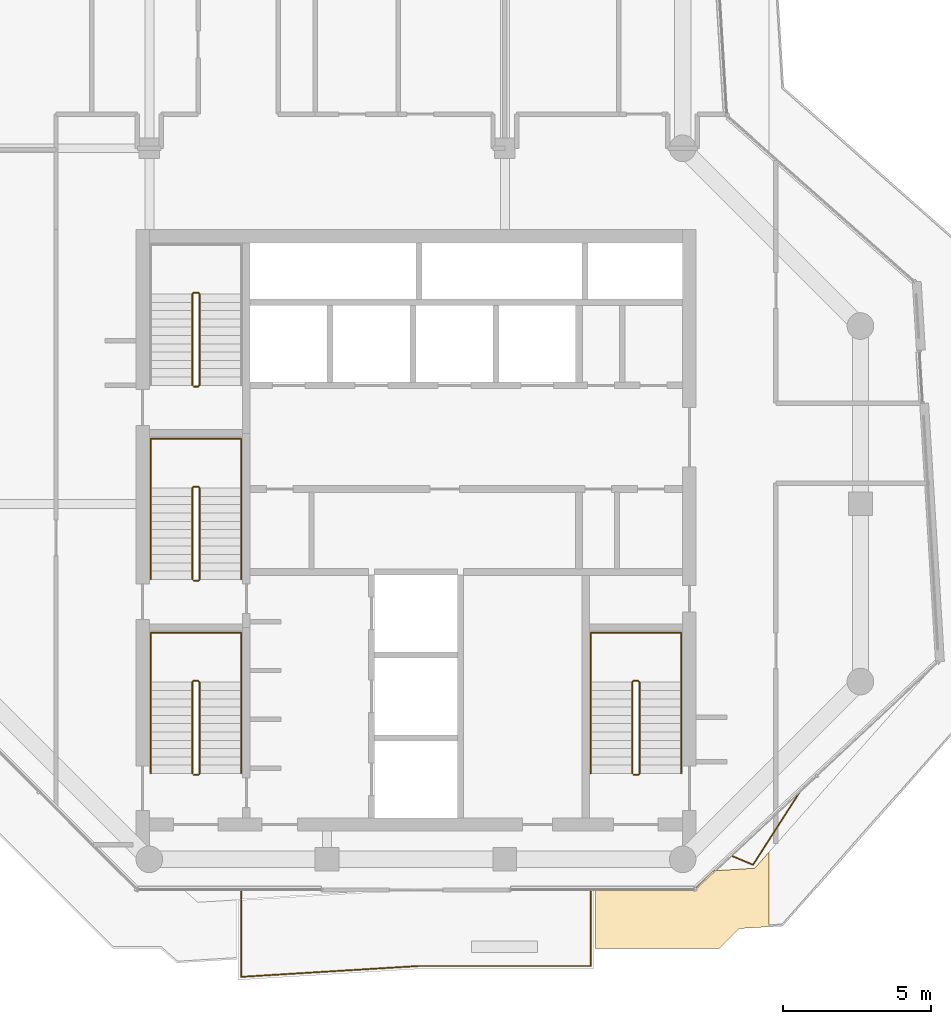
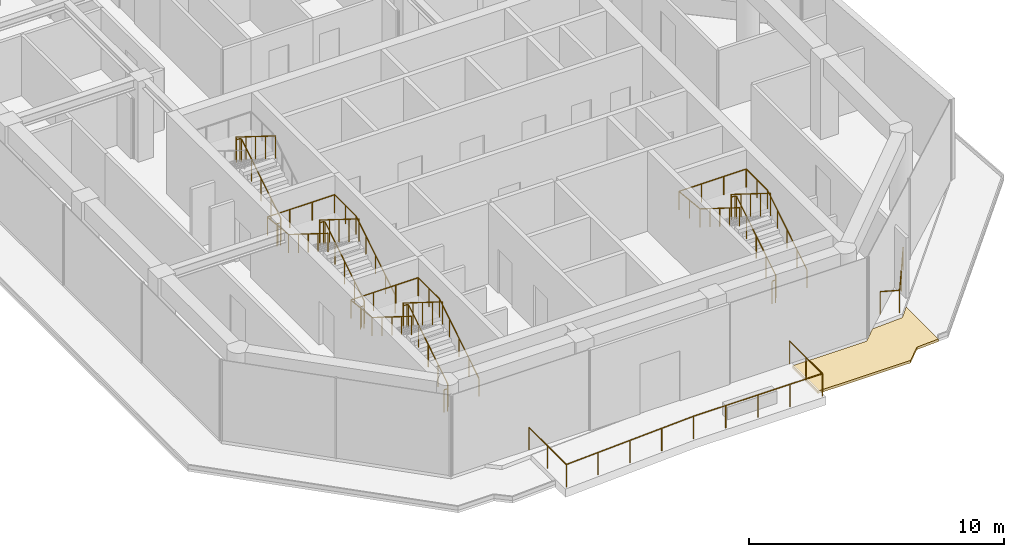
# One storey, part 20 of 21: 9 railings, 1 covering.
"""IFC4 building model written with IfcOpenShell, lengths in metres."""

import ifcopenshell
import ifcopenshell.guid

model = None  # the IFC model being written
_history = None  # IfcOwnerHistory: only IFC2X3 demands one
_inside = {}  # id of a spatial element -> (the spatial element, [elements in it])
_under = {}  # id of a project, library or spatial element -> (it, [spatial elements below it])
_declared = {}  # id of a project -> (the project, [libraries it declares])
_typed = {}  # id of a type object -> (the type object, [elements of that type])
_made_of = {}  # id of a material, layer set ... -> (it, [elements and type objects made of it])


def new_model(schema):
    """Start an empty IFC model of exactly this schema.

    Asked for "IFC4X3", IfcOpenShell would pick the latest addendum, in which some entities
    have other attributes; the version numbers below select the first issue.
    IFC2X3 requires an IfcOwnerHistory on every rooted entity: one is made here for all.
    """
    global model, _history
    if schema == "IFC4X3":
        model = ifcopenshell.file(schema_version=(4, 3, 0, 0))
    else:
        model = ifcopenshell.file(schema=schema)
    _inside.clear()
    _under.clear()
    _declared.clear()
    _typed.clear()
    _made_of.clear()
    _history = None
    if model.schema == "IFC2X3":
        org = make("IfcOrganization", Name="unknown")
        user = make(
            "IfcPersonAndOrganization",
            ThePerson=make("IfcPerson", FamilyName="unknown"),
            TheOrganization=org,
        )
        app = make(
            "IfcApplication",
            ApplicationDeveloper=org,
            Version="unknown",
            ApplicationFullName="unknown",
            ApplicationIdentifier="unknown",
        )
        _history = make(
            "IfcOwnerHistory",
            OwningUser=user,
            OwningApplication=app,
            ChangeAction="ADDED",
            CreationDate=0,
        )
    return model


def make(cls, **values):
    """One entity of the class cls with the attributes given. An attribute that is None is left unset."""
    return model.create_entity(
        cls, **{name: value for name, value in values.items() if value is not None}
    )


def rooted(cls, **values):
    """An entity with a GlobalId (a new one), such as an element, a storey or a relation."""
    return make(cls, GlobalId=ifcopenshell.guid.new(), OwnerHistory=_history, **values)


def si_unit(unit_type, name, prefix=None):
    """IfcSIUnit, for example si_unit("LENGTHUNIT", "METRE", prefix="MILLI")."""
    return make("IfcSIUnit", UnitType=unit_type, Prefix=prefix, Name=name)


def assignment(units):
    """IfcUnitAssignment: the units of a project."""
    return None if units is None else make("IfcUnitAssignment", Units=units)


def point(xyz):
    """IfcCartesianPoint."""
    return None if xyz is None else make("IfcCartesianPoint", Coordinates=xyz)


def direction(xyz):
    """IfcDirection."""
    return None if xyz is None else make("IfcDirection", DirectionRatios=xyz)


def frame(location, z_axis=None, x_axis=None):
    """IfcAxis2Placement3D, a coordinate frame: its origin and axes. An axis left out is left unset."""
    return make(
        "IfcAxis2Placement3D",
        Location=point(location),
        Axis=direction(z_axis),
        RefDirection=direction(x_axis),
    )


def frame_2d(location, x_axis=None):
    """IfcAxis2Placement2D, a coordinate frame in the plane: its origin and x axis."""
    return make(
        "IfcAxis2Placement2D", Location=point(location), RefDirection=direction(x_axis)
    )


def origin():
    """The frame at (0, 0, 0) with its axes left unset."""
    return frame((0.0, 0.0, 0.0))


def origin_2d():
    """The frame at (0, 0) in the plane with its x axis left unset."""
    return frame_2d((0.0, 0.0))


def place(relative_to, where):
    """IfcLocalPlacement: puts the frame where relative to a parent placement (None: the world)."""
    return make(
        "IfcLocalPlacement", PlacementRelTo=relative_to, RelativePlacement=where
    )


def context(
    kind, dimensions, precision=None, world=None, true_north=None, identifier=None
):
    """IfcGeometricRepresentationContext, for example the 3D "Model" context."""
    return make(
        "IfcGeometricRepresentationContext",
        ContextIdentifier=identifier,
        ContextType=kind,
        CoordinateSpaceDimension=dimensions,
        Precision=precision,
        WorldCoordinateSystem=world,
        TrueNorth=true_north,
    )


def subcontext(parent, identifier, kind, view, scale=None):
    """IfcGeometricRepresentationSubContext, for example "Body" below "Model"."""
    return make(
        "IfcGeometricRepresentationSubContext",
        ContextIdentifier=identifier,
        ContextType=kind,
        ParentContext=parent,
        TargetScale=scale,
        TargetView=view,
    )


def project(units=None, contexts=None):
    """IfcProject with its units and contexts."""
    return rooted(
        "IfcProject",
        Name="project",
        RepresentationContexts=contexts,
        UnitsInContext=assignment(units),
    )


def spatial(cls, under=None, at=None, **own):
    """A site, building, storey or space (cls), placed at a placement, below another one or the project."""
    s = rooted(cls, ObjectPlacement=at, **own)
    if under is not None:
        _under.setdefault(under.id(), (under, []))[1].append(s)
    return s


def polyline(points):
    """IfcPolyline through the points."""
    return make("IfcPolyline", Points=[point(p) for p in points])


def profile(cls, at=None, kind="AREA", **sizes):
    """A parametric profile (cls). Its sizes go by their IFC names, for example OverallWidth=200.0."""
    return make(cls, ProfileType=kind, Position=at, **sizes)


def circle(**sizes):
    """IfcCircleProfileDef."""
    return profile("IfcCircleProfileDef", **sizes)


def outline(outer, holes=None, kind="AREA"):
    """IfcArbitraryClosedProfileDef: a profile drawn as a closed curve; with holes, ...WithVoids."""
    if holes is None:
        return make("IfcArbitraryClosedProfileDef", ProfileType=kind, OuterCurve=outer)
    return make(
        "IfcArbitraryProfileDefWithVoids",
        ProfileType=kind,
        OuterCurve=outer,
        InnerCurves=holes,
    )


def extrude(swept, where, along, depth):
    """IfcExtrudedAreaSolid: the profile swept, set in the frame where, extruded along a direction by depth."""
    return make(
        "IfcExtrudedAreaSolid",
        SweptArea=swept,
        Position=where,
        ExtrudedDirection=direction(along),
        Depth=depth,
    )


def shape(context_of_items, identifier, shape_type, items):
    """IfcShapeRepresentation: the items that make up one representation, for example the "Body"."""
    return make(
        "IfcShapeRepresentation",
        ContextOfItems=context_of_items,
        RepresentationIdentifier=identifier,
        RepresentationType=shape_type,
        Items=items,
    )


def material(Name=None, Category=None):
    """IfcMaterial."""
    return make("IfcMaterial", Name=Name, Category=Category)


def layer(
    of_material, thickness, ventilated=None, Name=None, Category=None, Priority=None
):
    """IfcMaterialLayer: one layer of a wall or slab, of a material (None: an air gap)."""
    return make(
        "IfcMaterialLayer",
        Material=of_material,
        LayerThickness=thickness,
        IsVentilated=ventilated,
        Name=Name,
        Category=Category,
        Priority=Priority,
    )


def layer_set(layers, Name=None):
    """IfcMaterialLayerSet."""
    return make("IfcMaterialLayerSet", MaterialLayers=layers, LayerSetName=Name)


def made_of(thing, what):
    """Note that an element or type object is made of a material, layer set ...; save() writes the relation."""
    if what is not None:
        _made_of.setdefault(what.id(), (what, []))[1].append(thing)
    return thing


def type_object(cls, material=None, **own):
    """A type object (cls), such as IfcWallType, which elements share."""
    return made_of(rooted(cls, **own), material)


def element(
    cls,
    number,
    at=None,
    inside=None,
    cuts=None,
    type_object=None,
    material=None,
    context=None,
    identifier="Body",
    shape_type=None,
    held_by="IfcProductDefinitionShape",
    body=None,
    shapes=None,
    **own,
):
    """One element of the class cls, such as IfcWall. Its Tag is "e" and its number.

    at: its placement. inside: the storey or other place that contains it. cuts: it is an
    opening in that element (IfcRelVoidsElement). A single representation is given by context,
    identifier, shape_type and body (its items); several are given by shapes. held_by: the class
    of the entity that holds the representations. save() writes the other relations.
    """
    e = rooted(cls, Tag="e%d" % number, ObjectPlacement=at, **own)
    if body is not None:
        shapes = [shape(context, identifier, shape_type, body)]
    if shapes is not None:
        e.Representation = make(held_by, Representations=shapes)
    if inside is not None:
        _inside.setdefault(inside.id(), (inside, []))[1].append(e)
    if cuts is not None:
        rooted(
            "IfcRelVoidsElement", RelatingBuildingElement=cuts, RelatedOpeningElement=e
        )
    if type_object is not None:
        _typed.setdefault(type_object.id(), (type_object, []))[1].append(e)
    return made_of(e, material)


def aggregate(whole, parts):
    """IfcRelAggregates: a whole, such as a stair, and the parts it consists of."""
    return rooted("IfcRelAggregates", RelatingObject=whole, RelatedObjects=parts)


def save(model, path):
    """Write the relations noted so far, then the file.

    IfcRelAggregates (storeys below a building ...), IfcRelContainedInSpatialStructure (elements
    in a storey), IfcRelDefinesByType, IfcRelAssociatesMaterial and IfcRelDeclares: one each for
    every whole, place, type object, material and project.
    """
    for whole, parts in _under.values():
        aggregate(whole, parts)
    for where, things in _inside.values():
        rooted(
            "IfcRelContainedInSpatialStructure",
            RelatedElements=things,
            RelatingStructure=where,
        )
    for kind, things in _typed.values():
        rooted("IfcRelDefinesByType", RelatedObjects=things, RelatingType=kind)
    for what, things in _made_of.values():
        rooted("IfcRelAssociatesMaterial", RelatedObjects=things, RelatingMaterial=what)
    for by, libraries in _declared.values():
        rooted("IfcRelDeclares", RelatingContext=by, RelatedDefinitions=libraries)
    model.write(path)


model = new_model("IFC4")

# Units and contexts
model_context = context("Model", 3, precision=1e-05, world=origin(), true_north=direction((0.0, 1.0)))
body_context = subcontext(model_context, "Body", "Model", "MODEL_VIEW")
ifc_project = project(units=[si_unit("LENGTHUNIT", "METRE"), si_unit("AREAUNIT", "SQUARE_METRE"), si_unit("VOLUMEUNIT", "CUBIC_METRE"), si_unit("PLANEANGLEUNIT", "RADIAN"), si_unit("MASSUNIT", "GRAM", prefix="KILO")], contexts=[model_context])

# Site, building, storey
site_placement = place(None, origin())
site = spatial("IfcSite", under=ifc_project, at=site_placement, CompositionType="ELEMENT")
building_placement = place(site_placement, origin())
building = spatial("IfcBuilding", under=site, at=building_placement, Name="Welwitschia Terrace Campus", CompositionType="ELEMENT")
storey_placement = place(building_placement, frame((0.0, 0.0, 213.800048828125)))
storey = spatial("IfcBuildingStorey", under=building, at=storey_placement, Name="L47", CompositionType="ELEMENT", Elevation=213.800048828125)

# Railings
ifc_material_1 = material(Name="Stainless steel grade 316", Category="steel")
railing_type_1 = type_object("IfcRailingType", Name="Guard 1100", PredefinedType="GUARDRAIL", material=ifc_material_1)
railing_1_placement = place(storey_placement, frame((20.89990234375, 2.969970703125, 0.0)))
element("IfcRailing", 1, at=railing_1_placement, inside=storey, type_object=railing_type_1, Name="Guard terrace L47:0:0.0", PredefinedType="GUARDRAIL", context=body_context, shape_type="SweptSolid", body=[
    extrude(circle(Radius=0.02392578125, at=origin_2d()), frame((0.0, 0.0, 1.076171875), z_axis=(0.0, -1.0, 0.0), x_axis=(1.0, 0.0, 0.0)), (0.0, 0.0, 1.0), 2.570068359375),
    extrude(circle(Radius=0.02392578125, at=origin_2d()), frame((0.0, -2.570068359375, 1.076171875), z_axis=(-1.0, 0.0, 0.0), x_axis=(0.0, -1.0, 0.0)), (0.0, 0.0, 1.0), 5.827392578125),
    extrude(circle(Radius=0.02392578125, at=origin_2d()), frame((-5.827392578125, -2.570068359375, 1.076171875), z_axis=(-0.998135348281, -0.061039548748, 0.0), x_axis=(0.061039548748, -0.998135348281, 0.0)), (0.0, 0.0, 1.0), 5.983642578125),
    extrude(circle(Radius=0.02392578125, at=origin_2d()), frame((-11.7998046875, -2.935302734375, 1.076171875), z_axis=(0.0, 1.0, 0.0), x_axis=(-1.0, 0.0, 0.0)), (0.0, 0.0, 1.0), 2.935302734375),
    extrude(circle(Radius=0.02099609375, at=origin_2d()), origin(), (0.0, 0.0, 1.0), 1.052001953125),
    extrude(circle(Radius=0.02099609375, at=origin_2d()), frame((0.0, -1.28515625, 0.0)), (0.0, 0.0, 1.0), 1.052001953125),
    extrude(circle(Radius=0.02099609375, at=origin_2d()), frame((0.0, -2.570068359375, 0.0)), (0.0, 0.0, 1.0), 1.052001953125),
    extrude(circle(Radius=0.02099609375, at=origin_2d()), frame((-1.456787109375, -2.570068359375, 0.0)), (0.0, 0.0, 1.0), 1.052001953125),
    extrude(circle(Radius=0.02099609375, at=origin_2d()), frame((-2.91357421875, -2.570068359375, 0.0)), (0.0, 0.0, 1.0), 1.052001953125),
    extrude(circle(Radius=0.02099609375, at=origin_2d()), frame((-4.37060546875, -2.570068359375, 0.0)), (0.0, 0.0, 1.0), 1.052001953125),
    extrude(circle(Radius=0.02099609375, at=origin_2d()), frame((-5.827392578125, -2.570068359375, 0.0)), (0.0, 0.0, 1.0), 1.052001953125),
    extrude(circle(Radius=0.02099609375, at=origin_2d()), frame((-7.320556640625, -2.661376953125, 0.0)), (0.0, 0.0, 1.0), 1.052001953125),
    extrude(circle(Radius=0.02099609375, at=origin_2d()), frame((-8.8134765625, -2.752685546875, 0.0)), (0.0, 0.0, 1.0), 1.052001953125),
    extrude(circle(Radius=0.02099609375, at=origin_2d()), frame((-10.306640625, -2.843994140625, 0.0)), (0.0, 0.0, 1.0), 1.052001953125),
    extrude(circle(Radius=0.02099609375, at=origin_2d()), frame((-11.7998046875, -2.935302734375, 0.0)), (0.0, 0.0, 1.0), 1.052001953125),
    extrude(circle(Radius=0.02099609375, at=origin_2d()), frame((-11.7998046875, -1.4677734375, 0.0)), (0.0, 0.0, 1.0), 1.052001953125),
    extrude(circle(Radius=0.02099609375, at=origin_2d()), frame((-11.7998046875, 0.0, 0.0)), (0.0, 0.0, 1.0), 1.052001953125),
])
railing_2_placement = place(storey_placement, frame((27.956298828125, 6.27880859375, 0.0)))
element("IfcRailing", 2, at=railing_2_placement, inside=storey, type_object=railing_type_1, Name="Guard floor edge L47.4", PredefinedType="GUARDRAIL", context=body_context, shape_type="SweptSolid", body=[
    extrude(circle(Radius=0.02392578125, at=origin_2d()), frame((0.0, 0.0, 1.076171875), z_axis=(-0.540057307868, -0.841628245853, 0.0), x_axis=(0.841628245853, -0.540057307868, 0.0)), (0.0, 0.0, 1.0), 2.92578125),
    extrude(circle(Radius=0.02392578125, at=origin_2d()), frame((-1.580078125, -2.46240234375, 1.076171875), z_axis=(-0.922412629322, 0.386205827594, 0.0), x_axis=(-0.386205827594, -0.922412629322, 0.0)), (0.0, 0.0, 1.0), 0.784423828125),
    extrude(circle(Radius=0.02099609375, at=origin_2d()), origin(), (0.0, 0.0, 1.0), 1.052001953125),
    extrude(circle(Radius=0.02099609375, at=origin_2d()), frame((-0.7900390625, -1.231201171875, 0.0)), (0.0, 0.0, 1.0), 1.052001953125),
    extrude(circle(Radius=0.02099609375, at=origin_2d()), frame((-1.580078125, -2.46240234375, 0.0)), (0.0, 0.0, 1.0), 1.052001953125),
    extrude(circle(Radius=0.02099609375, at=origin_2d()), frame((-2.3037109375, -2.159423828125, 0.0)), (0.0, 0.0, 1.0), 1.052001953125),
])
ifc_material_2 = material(Name="Steel S355", Category="steel")
railing_type_2 = type_object("IfcRailingType", Name="Stair guard 1100", PredefinedType="GUARDRAIL", material=ifc_material_2)
railing_3_placement = place(storey_placement, frame((7.5, 6.85009765625, 0.0)))
element("IfcRailing", 3, at=railing_3_placement, inside=storey, type_object=railing_type_2, Name="L47 S1 stair guard", PredefinedType="GUARDRAIL", context=body_context, shape_type="SweptSolid", body=[
    extrude(circle(Radius=0.02392578125, at=origin_2d()), frame((0.0, 0.0, 1.076171875), z_axis=(1.0, 0.0, 0.0), x_axis=(0.0, 1.0, 0.0)), (0.0, 0.0, 1.0), 0.14990234375),
    extrude(circle(Radius=0.02392578125, at=origin_2d()), frame((0.14990234375, 0.0, 1.076171875), z_axis=(0.265155923931, 0.263862480399, 0.927399011991), x_axis=(-0.705375805398, 0.708833529934, 0.0)), (0.0, 0.0, 1.0), 0.188720703125),
    extrude(circle(Radius=0.02392578125, at=origin_2d()), frame((0.199951171875, 0.0498046875, 1.2509765625), z_axis=(0.0, 0.848028513186, 0.529950602248), x_axis=(-1.0, 0.0, 0.0)), (0.0, 0.0, 1.0), 3.632080078125),
    extrude(circle(Radius=0.02392578125, at=origin_2d()), frame((0.199951171875, 3.1298828125, 3.17578125), z_axis=(-0.707106781187, 0.707106781187, 0.0), x_axis=(-0.707106781187, -0.707106781187, 0.0)), (0.0, 0.0, 1.0), 0.07080078125),
    extrude(circle(Radius=0.02392578125, at=origin_2d()), frame((0.14990234375, 3.179931640625, 3.17578125), z_axis=(-1.0, 0.0, 0.0), x_axis=(0.0, -1.0, 0.0)), (0.0, 0.0, 1.0), 0.14990234375),
    extrude(circle(Radius=0.02392578125, at=origin_2d()), frame((0.0, 3.179931640625, 3.17578125), z_axis=(-0.265065253269, -0.265065253269, 0.927081885822), x_axis=(0.707106781187, -0.707106781187, 0.0)), (0.0, 0.0, 1.0), 0.188720703125),
    extrude(circle(Radius=0.02392578125, at=origin_2d()), frame((-0.050048828125, 3.1298828125, 3.35107421875), z_axis=(0.0, -0.847998304005, 0.529998940003), x_axis=(1.0, 0.0, 0.0)), (0.0, 0.0, 1.0), 3.632080078125),
    extrude(circle(Radius=0.02099609375, at=origin_2d()), origin(), (0.0, 0.0, 1.0), 1.052001953125),
    extrude(circle(Radius=0.02099609375, at=origin_2d()), frame((0.14990234375, 0.0, 0.0)), (0.0, 0.0, 1.0), 1.052001953125),
    extrude(circle(Radius=0.02099609375, at=origin_2d()), frame((0.199951171875, 0.0498046875, 0.175048828125)), (0.0, 0.0, 1.0), 1.052001953125),
    extrude(circle(Radius=0.02099609375, at=origin_2d()), frame((0.199951171875, 0.81982421875, 0.65625)), (0.0, 0.0, 1.0), 1.052001953125),
    extrude(circle(Radius=0.02099609375, at=origin_2d()), frame((0.199951171875, 1.58984375, 1.137451171875)), (0.0, 0.0, 1.0), 1.052001953125),
    extrude(circle(Radius=0.02099609375, at=origin_2d()), frame((0.199951171875, 2.35986328125, 1.61865234375)), (0.0, 0.0, 1.0), 1.052001953125),
    extrude(circle(Radius=0.02099609375, at=origin_2d()), frame((0.199951171875, 3.1298828125, 2.099853515625)), (0.0, 0.0, 1.0), 1.052001953125),
    extrude(circle(Radius=0.02099609375, at=origin_2d()), frame((0.14990234375, 3.179931640625, 2.099853515625)), (0.0, 0.0, 1.0), 1.052001953125),
    extrude(circle(Radius=0.02099609375, at=origin_2d()), frame((0.0, 3.179931640625, 2.099853515625)), (0.0, 0.0, 1.0), 1.052001953125),
    extrude(circle(Radius=0.02099609375, at=origin_2d()), frame((-0.050048828125, 3.1298828125, 2.27490234375)), (0.0, 0.0, 1.0), 1.052001953125),
    extrude(circle(Radius=0.02099609375, at=origin_2d()), frame((-0.050048828125, 2.35986328125, 2.756103515625)), (0.0, 0.0, 1.0), 1.052001953125),
    extrude(circle(Radius=0.02099609375, at=origin_2d()), frame((-0.050048828125, 1.58984375, 3.2373046875)), (0.0, 0.0, 1.0), 1.052001953125),
    extrude(circle(Radius=0.02099609375, at=origin_2d()), frame((-0.050048828125, 0.81982421875, 3.71875)), (0.0, 0.0, 1.0), 1.052001953125),
    extrude(circle(Radius=0.02099609375, at=origin_2d()), frame((-0.050048828125, 0.0498046875, 4.199951171875)), (0.0, 0.0, 1.0), 1.052001953125),
])
railing_4_placement = place(storey_placement, frame((7.5, 13.39990234375, 0.0)))
element("IfcRailing", 4, at=railing_4_placement, inside=storey, type_object=railing_type_2, Name="L47 S3 stair guard", PredefinedType="GUARDRAIL", context=body_context, shape_type="SweptSolid", body=[
    extrude(circle(Radius=0.02392578125, at=origin_2d()), frame((0.0, 0.0, 1.076171875), z_axis=(1.0, 0.0, 0.0), x_axis=(0.0, 1.0, 0.0)), (0.0, 0.0, 1.0), 0.14990234375),
    extrude(circle(Radius=0.02392578125, at=origin_2d()), frame((0.14990234375, 0.0, 1.076171875), z_axis=(0.265065253269, 0.265065253269, 0.927081885822), x_axis=(-0.707106781187, 0.707106781187, 0.0)), (0.0, 0.0, 1.0), 0.188720703125),
    extrude(circle(Radius=0.02392578125, at=origin_2d()), frame((0.199951171875, 0.050048828125, 1.2509765625), z_axis=(0.0, 0.848028513186, 0.529950602248), x_axis=(-1.0, 0.0, 0.0)), (0.0, 0.0, 1.0), 3.632080078125),
    extrude(circle(Radius=0.02392578125, at=origin_2d()), frame((0.199951171875, 3.130126953125, 3.17578125), z_axis=(-0.707106781187, 0.707106781187, 0.0), x_axis=(-0.707106781187, -0.707106781187, 0.0)), (0.0, 0.0, 1.0), 0.07080078125),
    extrude(circle(Radius=0.02392578125, at=origin_2d()), frame((0.14990234375, 3.18017578125, 3.17578125), z_axis=(-1.0, 0.0, 0.0), x_axis=(0.0, -1.0, 0.0)), (0.0, 0.0, 1.0), 0.14990234375),
    extrude(circle(Radius=0.02392578125, at=origin_2d()), frame((0.0, 3.18017578125, 3.17578125), z_axis=(-0.265065253269, -0.265065253269, 0.927081885822), x_axis=(0.707106781187, -0.707106781187, 0.0)), (0.0, 0.0, 1.0), 0.188720703125),
    extrude(circle(Radius=0.02392578125, at=origin_2d()), frame((-0.050048828125, 3.130126953125, 3.35107421875), z_axis=(0.0, -0.847998304005, 0.529998940003), x_axis=(1.0, 0.0, 0.0)), (0.0, 0.0, 1.0), 3.632080078125),
    extrude(circle(Radius=0.02099609375, at=origin_2d()), origin(), (0.0, 0.0, 1.0), 1.052001953125),
    extrude(circle(Radius=0.02099609375, at=origin_2d()), frame((0.14990234375, 0.0, 0.0)), (0.0, 0.0, 1.0), 1.052001953125),
    extrude(circle(Radius=0.02099609375, at=origin_2d()), frame((0.199951171875, 0.050048828125, 0.175048828125)), (0.0, 0.0, 1.0), 1.052001953125),
    extrude(circle(Radius=0.02099609375, at=origin_2d()), frame((0.199951171875, 0.820068359375, 0.65625)), (0.0, 0.0, 1.0), 1.052001953125),
    extrude(circle(Radius=0.02099609375, at=origin_2d()), frame((0.199951171875, 1.590087890625, 1.137451171875)), (0.0, 0.0, 1.0), 1.052001953125),
    extrude(circle(Radius=0.02099609375, at=origin_2d()), frame((0.199951171875, 2.360107421875, 1.61865234375)), (0.0, 0.0, 1.0), 1.052001953125),
    extrude(circle(Radius=0.02099609375, at=origin_2d()), frame((0.199951171875, 3.130126953125, 2.099853515625)), (0.0, 0.0, 1.0), 1.052001953125),
    extrude(circle(Radius=0.02099609375, at=origin_2d()), frame((0.14990234375, 3.18017578125, 2.099853515625)), (0.0, 0.0, 1.0), 1.052001953125),
    extrude(circle(Radius=0.02099609375, at=origin_2d()), frame((0.0, 3.18017578125, 2.099853515625)), (0.0, 0.0, 1.0), 1.052001953125),
    extrude(circle(Radius=0.02099609375, at=origin_2d()), frame((-0.050048828125, 3.130126953125, 2.27490234375)), (0.0, 0.0, 1.0), 1.052001953125),
    extrude(circle(Radius=0.02099609375, at=origin_2d()), frame((-0.050048828125, 2.360107421875, 2.756103515625)), (0.0, 0.0, 1.0), 1.052001953125),
    extrude(circle(Radius=0.02099609375, at=origin_2d()), frame((-0.050048828125, 1.590087890625, 3.2373046875)), (0.0, 0.0, 1.0), 1.052001953125),
    extrude(circle(Radius=0.02099609375, at=origin_2d()), frame((-0.050048828125, 0.820068359375, 3.71875)), (0.0, 0.0, 1.0), 1.052001953125),
    extrude(circle(Radius=0.02099609375, at=origin_2d()), frame((-0.050048828125, 0.050048828125, 4.199951171875)), (0.0, 0.0, 1.0), 1.052001953125),
])
railing_5_placement = place(storey_placement, frame((7.5, 19.949951171875, 0.0)))
element("IfcRailing", 5, at=railing_5_placement, inside=storey, type_object=railing_type_2, Name="L47 S4 stair guard", PredefinedType="GUARDRAIL", context=body_context, shape_type="SweptSolid", body=[
    extrude(circle(Radius=0.02392578125, at=origin_2d()), frame((0.0, 0.0, 1.076171875), z_axis=(1.0, 0.0, 0.0), x_axis=(0.0, 1.0, 0.0)), (0.0, 0.0, 1.0), 0.14990234375),
    extrude(circle(Radius=0.02392578125, at=origin_2d()), frame((0.14990234375, 0.0, 1.076171875), z_axis=(0.265065253269, 0.265065253269, 0.927081885822), x_axis=(-0.707106781187, 0.707106781187, 0.0)), (0.0, 0.0, 1.0), 0.188720703125),
    extrude(circle(Radius=0.02392578125, at=origin_2d()), frame((0.199951171875, 0.050048828125, 1.2509765625), z_axis=(0.0, 0.848028513186, 0.529950602248), x_axis=(-1.0, 0.0, 0.0)), (0.0, 0.0, 1.0), 3.632080078125),
    extrude(circle(Radius=0.02392578125, at=origin_2d()), frame((0.199951171875, 3.130126953125, 3.17578125), z_axis=(-0.708833529934, 0.705375805398, 0.0), x_axis=(-0.705375805398, -0.708833529934, 0.0)), (0.0, 0.0, 1.0), 0.070556640625),
    extrude(circle(Radius=0.02392578125, at=origin_2d()), frame((0.14990234375, 3.179931640625, 3.17578125), z_axis=(-1.0, 0.0, 0.0), x_axis=(0.0, -1.0, 0.0)), (0.0, 0.0, 1.0), 0.14990234375),
    extrude(circle(Radius=0.02392578125, at=origin_2d()), frame((0.0, 3.179931640625, 3.17578125), z_axis=(-0.265155923931, -0.263862480399, 0.927399011991), x_axis=(0.705375805398, -0.708833529934, 0.0)), (0.0, 0.0, 1.0), 0.188720703125),
    extrude(circle(Radius=0.02392578125, at=origin_2d()), frame((-0.050048828125, 3.130126953125, 3.35107421875), z_axis=(0.0, -0.847998304005, 0.529998940003), x_axis=(1.0, 0.0, 0.0)), (0.0, 0.0, 1.0), 3.632080078125),
    extrude(circle(Radius=0.02099609375, at=origin_2d()), origin(), (0.0, 0.0, 1.0), 1.052001953125),
    extrude(circle(Radius=0.02099609375, at=origin_2d()), frame((0.14990234375, 0.0, 0.0)), (0.0, 0.0, 1.0), 1.052001953125),
    extrude(circle(Radius=0.02099609375, at=origin_2d()), frame((0.199951171875, 0.050048828125, 0.175048828125)), (0.0, 0.0, 1.0), 1.052001953125),
    extrude(circle(Radius=0.02099609375, at=origin_2d()), frame((0.199951171875, 0.820068359375, 0.65625)), (0.0, 0.0, 1.0), 1.052001953125),
    extrude(circle(Radius=0.02099609375, at=origin_2d()), frame((0.199951171875, 1.590087890625, 1.137451171875)), (0.0, 0.0, 1.0), 1.052001953125),
    extrude(circle(Radius=0.02099609375, at=origin_2d()), frame((0.199951171875, 2.360107421875, 1.61865234375)), (0.0, 0.0, 1.0), 1.052001953125),
    extrude(circle(Radius=0.02099609375, at=origin_2d()), frame((0.199951171875, 3.130126953125, 2.099853515625)), (0.0, 0.0, 1.0), 1.052001953125),
    extrude(circle(Radius=0.02099609375, at=origin_2d()), frame((0.14990234375, 3.179931640625, 2.099853515625)), (0.0, 0.0, 1.0), 1.052001953125),
    extrude(circle(Radius=0.02099609375, at=origin_2d()), frame((0.0, 3.179931640625, 2.099853515625)), (0.0, 0.0, 1.0), 1.052001953125),
    extrude(circle(Radius=0.02099609375, at=origin_2d()), frame((-0.050048828125, 3.130126953125, 2.27490234375)), (0.0, 0.0, 1.0), 1.052001953125),
    extrude(circle(Radius=0.02099609375, at=origin_2d()), frame((-0.050048828125, 2.360107421875, 2.756103515625)), (0.0, 0.0, 1.0), 1.052001953125),
    extrude(circle(Radius=0.02099609375, at=origin_2d()), frame((-0.050048828125, 1.590087890625, 3.2373046875)), (0.0, 0.0, 1.0), 1.052001953125),
    extrude(circle(Radius=0.02099609375, at=origin_2d()), frame((-0.050048828125, 0.820068359375, 3.71875)), (0.0, 0.0, 1.0), 1.052001953125),
    extrude(circle(Radius=0.02099609375, at=origin_2d()), frame((-0.050048828125, 0.050048828125, 4.199951171875)), (0.0, 0.0, 1.0), 1.052001953125),
])
railing_6_placement = place(storey_placement, frame((22.35009765625, 6.85009765625, 0.0)))
element("IfcRailing", 6, at=railing_6_placement, inside=storey, type_object=railing_type_2, Name="L47 S2 stair guard", PredefinedType="GUARDRAIL", context=body_context, shape_type="SweptSolid", body=[
    extrude(circle(Radius=0.02392578125, at=origin_2d()), frame((0.0, 0.0, 1.076171875), z_axis=(1.0, 0.0, 0.0), x_axis=(0.0, 1.0, 0.0)), (0.0, 0.0, 1.0), 0.14990234375),
    extrude(circle(Radius=0.02392578125, at=origin_2d()), frame((0.14990234375, 0.0, 1.076171875), z_axis=(0.265155923931, 0.263862480399, 0.927399011991), x_axis=(-0.705375805398, 0.708833529934, 0.0)), (0.0, 0.0, 1.0), 0.188720703125),
    extrude(circle(Radius=0.02392578125, at=origin_2d()), frame((0.199951171875, 0.0498046875, 1.2509765625), z_axis=(0.0, 0.848028513186, 0.529950602248), x_axis=(-1.0, 0.0, 0.0)), (0.0, 0.0, 1.0), 3.632080078125),
    extrude(circle(Radius=0.02392578125, at=origin_2d()), frame((0.199951171875, 3.1298828125, 3.17578125), z_axis=(-0.707106781187, 0.707106781187, 0.0), x_axis=(-0.707106781187, -0.707106781187, 0.0)), (0.0, 0.0, 1.0), 0.07080078125),
    extrude(circle(Radius=0.02392578125, at=origin_2d()), frame((0.14990234375, 3.179931640625, 3.17578125), z_axis=(-1.0, 0.0, 0.0), x_axis=(0.0, -1.0, 0.0)), (0.0, 0.0, 1.0), 0.14990234375),
    extrude(circle(Radius=0.02392578125, at=origin_2d()), frame((0.0, 3.179931640625, 3.17578125), z_axis=(-0.265065253269, -0.265065253269, 0.927081885822), x_axis=(0.707106781187, -0.707106781187, 0.0)), (0.0, 0.0, 1.0), 0.188720703125),
    extrude(circle(Radius=0.02392578125, at=origin_2d()), frame((-0.050048828125, 3.1298828125, 3.35107421875), z_axis=(0.0, -0.847998304005, 0.529998940003), x_axis=(1.0, 0.0, 0.0)), (0.0, 0.0, 1.0), 3.632080078125),
    extrude(circle(Radius=0.02099609375, at=origin_2d()), origin(), (0.0, 0.0, 1.0), 1.052001953125),
    extrude(circle(Radius=0.02099609375, at=origin_2d()), frame((0.14990234375, 0.0, 0.0)), (0.0, 0.0, 1.0), 1.052001953125),
    extrude(circle(Radius=0.02099609375, at=origin_2d()), frame((0.199951171875, 0.0498046875, 0.175048828125)), (0.0, 0.0, 1.0), 1.052001953125),
    extrude(circle(Radius=0.02099609375, at=origin_2d()), frame((0.199951171875, 0.81982421875, 0.65625)), (0.0, 0.0, 1.0), 1.052001953125),
    extrude(circle(Radius=0.02099609375, at=origin_2d()), frame((0.199951171875, 1.58984375, 1.137451171875)), (0.0, 0.0, 1.0), 1.052001953125),
    extrude(circle(Radius=0.02099609375, at=origin_2d()), frame((0.199951171875, 2.35986328125, 1.61865234375)), (0.0, 0.0, 1.0), 1.052001953125),
    extrude(circle(Radius=0.02099609375, at=origin_2d()), frame((0.199951171875, 3.1298828125, 2.099853515625)), (0.0, 0.0, 1.0), 1.052001953125),
    extrude(circle(Radius=0.02099609375, at=origin_2d()), frame((0.14990234375, 3.179931640625, 2.099853515625)), (0.0, 0.0, 1.0), 1.052001953125),
    extrude(circle(Radius=0.02099609375, at=origin_2d()), frame((0.0, 3.179931640625, 2.099853515625)), (0.0, 0.0, 1.0), 1.052001953125),
    extrude(circle(Radius=0.02099609375, at=origin_2d()), frame((-0.050048828125, 3.1298828125, 2.27490234375)), (0.0, 0.0, 1.0), 1.052001953125),
    extrude(circle(Radius=0.02099609375, at=origin_2d()), frame((-0.050048828125, 2.35986328125, 2.756103515625)), (0.0, 0.0, 1.0), 1.052001953125),
    extrude(circle(Radius=0.02099609375, at=origin_2d()), frame((-0.050048828125, 1.58984375, 3.2373046875)), (0.0, 0.0, 1.0), 1.052001953125),
    extrude(circle(Radius=0.02099609375, at=origin_2d()), frame((-0.050048828125, 0.81982421875, 3.71875)), (0.0, 0.0, 1.0), 1.052001953125),
    extrude(circle(Radius=0.02099609375, at=origin_2d()), frame((-0.050048828125, 0.0498046875, 4.199951171875)), (0.0, 0.0, 1.0), 1.052001953125),
])
ifc_material_3 = material(Name="Steel S355", Category="steel")
railing_type_3 = type_object("IfcRailingType", Name="Stair handrail 900", PredefinedType="HANDRAIL", material=ifc_material_3)
railing_7_placement = place(storey_placement, frame((9.10009765625, 6.89990234375, 0.175048828125)))
element("IfcRailing", 7, at=railing_7_placement, inside=storey, type_object=railing_type_3, Name="L47 S1 stair handrail", PredefinedType="HANDRAIL", context=body_context, shape_type="SweptSolid", body=[
    extrude(circle(Radius=0.02392578125, at=origin_2d()), frame((0.0, 0.0, 0.8759765625), z_axis=(0.0, 0.848028513186, 0.529950602248), x_axis=(-1.0, 0.0, 0.0)), (0.0, 0.0, 1.0), 3.632080078125),
    extrude(circle(Radius=0.02392578125, at=origin_2d()), frame((0.0, 3.080078125, 2.80078125), z_axis=(0.0, 1.0, 0.0), x_axis=(-1.0, 0.0, 0.0)), (0.0, 0.0, 1.0), 1.669921875),
    extrude(circle(Radius=0.02392578125, at=origin_2d()), frame((0.0, 4.75, 2.80078125), z_axis=(-1.0, 0.0, 0.0), x_axis=(0.0, -1.0, 0.0)), (0.0, 0.0, 1.0), 3.050048828125),
    extrude(circle(Radius=0.02392578125, at=origin_2d()), frame((-3.050048828125, 4.75, 2.80078125), z_axis=(0.0, -0.99455077262, 0.104253348533), x_axis=(1.0, 0.0, 0.0)), (0.0, 0.0, 1.0), 1.678955078125),
    extrude(circle(Radius=0.02392578125, at=origin_2d()), frame((-3.050048828125, 3.080078125, 2.9755859375), z_axis=(0.0, -0.847998304005, 0.529998940003), x_axis=(1.0, 0.0, 0.0)), (0.0, 0.0, 1.0), 3.632080078125),
    extrude(circle(Radius=0.02099609375, at=origin_2d()), origin(), (0.0, 0.0, 1.0), 0.851806640625),
    extrude(circle(Radius=0.02099609375, at=origin_2d()), frame((0.0, 0.77001953125, 0.481201171875)), (0.0, 0.0, 1.0), 0.851806640625),
    extrude(circle(Radius=0.02099609375, at=origin_2d()), frame((0.0, 1.5400390625, 0.96240234375)), (0.0, 0.0, 1.0), 0.851806640625),
    extrude(circle(Radius=0.02099609375, at=origin_2d()), frame((0.0, 2.31005859375, 1.443603515625)), (0.0, 0.0, 1.0), 0.851806640625),
    extrude(circle(Radius=0.02099609375, at=origin_2d()), frame((0.0, 3.080078125, 1.9248046875)), (0.0, 0.0, 1.0), 0.851806640625),
    extrude(circle(Radius=0.02099609375, at=origin_2d()), frame((0.0, 3.9150390625, 1.9248046875)), (0.0, 0.0, 1.0), 0.851806640625),
    extrude(circle(Radius=0.02099609375, at=origin_2d()), frame((0.0, 4.75, 1.9248046875)), (0.0, 0.0, 1.0), 0.851806640625),
    extrude(circle(Radius=0.02099609375, at=origin_2d()), frame((-1.0166015625, 4.75, 1.9248046875)), (0.0, 0.0, 1.0), 0.851806640625),
    extrude(circle(Radius=0.02099609375, at=origin_2d()), frame((-2.033447265625, 4.75, 1.9248046875)), (0.0, 0.0, 1.0), 0.851806640625),
    extrude(circle(Radius=0.02099609375, at=origin_2d()), frame((-3.050048828125, 4.75, 1.9248046875)), (0.0, 0.0, 1.0), 0.851806640625),
    extrude(circle(Radius=0.02099609375, at=origin_2d()), frame((-3.050048828125, 3.9150390625, 2.01220703125)), (0.0, 0.0, 1.0), 0.851806640625),
    extrude(circle(Radius=0.02099609375, at=origin_2d()), frame((-3.050048828125, 3.080078125, 2.099853515625)), (0.0, 0.0, 1.0), 0.851806640625),
    extrude(circle(Radius=0.02099609375, at=origin_2d()), frame((-3.050048828125, 2.31005859375, 2.5810546875)), (0.0, 0.0, 1.0), 0.851806640625),
    extrude(circle(Radius=0.02099609375, at=origin_2d()), frame((-3.050048828125, 1.5400390625, 3.0625)), (0.0, 0.0, 1.0), 0.851806640625),
    extrude(circle(Radius=0.02099609375, at=origin_2d()), frame((-3.050048828125, 0.77001953125, 3.543701171875)), (0.0, 0.0, 1.0), 0.851806640625),
    extrude(circle(Radius=0.02099609375, at=origin_2d()), frame((-3.050048828125, 0.0, 4.02490234375)), (0.0, 0.0, 1.0), 0.851806640625),
])
railing_8_placement = place(storey_placement, frame((9.10009765625, 13.449951171875, 0.175048828125)))
element("IfcRailing", 8, at=railing_8_placement, inside=storey, type_object=railing_type_3, Name="L47 S3 stair handrail", PredefinedType="HANDRAIL", context=body_context, shape_type="SweptSolid", body=[
    extrude(circle(Radius=0.02392578125, at=origin_2d()), frame((0.0, 0.0, 0.8759765625), z_axis=(0.0, 0.848028513186, 0.529950602248), x_axis=(-1.0, 0.0, 0.0)), (0.0, 0.0, 1.0), 3.632080078125),
    extrude(circle(Radius=0.02392578125, at=origin_2d()), frame((0.0, 3.080078125, 2.80078125), z_axis=(0.0, 1.0, 0.0), x_axis=(-1.0, 0.0, 0.0)), (0.0, 0.0, 1.0), 1.669921875),
    extrude(circle(Radius=0.02392578125, at=origin_2d()), frame((0.0, 4.75, 2.80078125), z_axis=(-1.0, 0.0, 0.0), x_axis=(0.0, -1.0, 0.0)), (0.0, 0.0, 1.0), 3.050048828125),
    extrude(circle(Radius=0.02392578125, at=origin_2d()), frame((-3.050048828125, 4.75, 2.80078125), z_axis=(0.0, -0.99455077262, 0.104253348533), x_axis=(1.0, 0.0, 0.0)), (0.0, 0.0, 1.0), 1.678955078125),
    extrude(circle(Radius=0.02392578125, at=origin_2d()), frame((-3.050048828125, 3.080078125, 2.9755859375), z_axis=(0.0, -0.847998304005, 0.529998940003), x_axis=(1.0, 0.0, 0.0)), (0.0, 0.0, 1.0), 3.632080078125),
    extrude(circle(Radius=0.02099609375, at=origin_2d()), origin(), (0.0, 0.0, 1.0), 0.851806640625),
    extrude(circle(Radius=0.02099609375, at=origin_2d()), frame((0.0, 0.77001953125, 0.481201171875)), (0.0, 0.0, 1.0), 0.851806640625),
    extrude(circle(Radius=0.02099609375, at=origin_2d()), frame((0.0, 1.5400390625, 0.96240234375)), (0.0, 0.0, 1.0), 0.851806640625),
    extrude(circle(Radius=0.02099609375, at=origin_2d()), frame((0.0, 2.31005859375, 1.443603515625)), (0.0, 0.0, 1.0), 0.851806640625),
    extrude(circle(Radius=0.02099609375, at=origin_2d()), frame((0.0, 3.080078125, 1.9248046875)), (0.0, 0.0, 1.0), 0.851806640625),
    extrude(circle(Radius=0.02099609375, at=origin_2d()), frame((0.0, 3.9150390625, 1.9248046875)), (0.0, 0.0, 1.0), 0.851806640625),
    extrude(circle(Radius=0.02099609375, at=origin_2d()), frame((0.0, 4.75, 1.9248046875)), (0.0, 0.0, 1.0), 0.851806640625),
    extrude(circle(Radius=0.02099609375, at=origin_2d()), frame((-1.0166015625, 4.75, 1.9248046875)), (0.0, 0.0, 1.0), 0.851806640625),
    extrude(circle(Radius=0.02099609375, at=origin_2d()), frame((-2.033447265625, 4.75, 1.9248046875)), (0.0, 0.0, 1.0), 0.851806640625),
    extrude(circle(Radius=0.02099609375, at=origin_2d()), frame((-3.050048828125, 4.75, 1.9248046875)), (0.0, 0.0, 1.0), 0.851806640625),
    extrude(circle(Radius=0.02099609375, at=origin_2d()), frame((-3.050048828125, 3.9150390625, 2.01220703125)), (0.0, 0.0, 1.0), 0.851806640625),
    extrude(circle(Radius=0.02099609375, at=origin_2d()), frame((-3.050048828125, 3.080078125, 2.099853515625)), (0.0, 0.0, 1.0), 0.851806640625),
    extrude(circle(Radius=0.02099609375, at=origin_2d()), frame((-3.050048828125, 2.31005859375, 2.5810546875)), (0.0, 0.0, 1.0), 0.851806640625),
    extrude(circle(Radius=0.02099609375, at=origin_2d()), frame((-3.050048828125, 1.5400390625, 3.0625)), (0.0, 0.0, 1.0), 0.851806640625),
    extrude(circle(Radius=0.02099609375, at=origin_2d()), frame((-3.050048828125, 0.77001953125, 3.543701171875)), (0.0, 0.0, 1.0), 0.851806640625),
    extrude(circle(Radius=0.02099609375, at=origin_2d()), frame((-3.050048828125, 0.0, 4.02490234375)), (0.0, 0.0, 1.0), 0.851806640625),
])
railing_9_placement = place(storey_placement, frame((23.949951171875, 6.89990234375, 0.175048828125)))
element("IfcRailing", 9, at=railing_9_placement, inside=storey, type_object=railing_type_3, Name="L47 S2 stair handrail", PredefinedType="HANDRAIL", context=body_context, shape_type="SweptSolid", body=[
    extrude(circle(Radius=0.02392578125, at=origin_2d()), frame((0.0, 0.0, 0.8759765625), z_axis=(0.0, 0.848028513186, 0.529950602248), x_axis=(-1.0, 0.0, 0.0)), (0.0, 0.0, 1.0), 3.632080078125),
    extrude(circle(Radius=0.02392578125, at=origin_2d()), frame((0.0, 3.080078125, 2.80078125), z_axis=(0.0, 1.0, 0.0), x_axis=(-1.0, 0.0, 0.0)), (0.0, 0.0, 1.0), 1.669921875),
    extrude(circle(Radius=0.02392578125, at=origin_2d()), frame((0.0, 4.75, 2.80078125), z_axis=(-1.0, 0.0, 0.0), x_axis=(0.0, -1.0, 0.0)), (0.0, 0.0, 1.0), 3.050048828125),
    extrude(circle(Radius=0.02392578125, at=origin_2d()), frame((-3.050048828125, 4.75, 2.80078125), z_axis=(0.0, -0.99455077262, 0.104253348533), x_axis=(1.0, 0.0, 0.0)), (0.0, 0.0, 1.0), 1.678955078125),
    extrude(circle(Radius=0.02392578125, at=origin_2d()), frame((-3.050048828125, 3.080078125, 2.9755859375), z_axis=(0.0, -0.847998304005, 0.529998940003), x_axis=(1.0, 0.0, 0.0)), (0.0, 0.0, 1.0), 3.632080078125),
    extrude(circle(Radius=0.02099609375, at=origin_2d()), origin(), (0.0, 0.0, 1.0), 0.851806640625),
    extrude(circle(Radius=0.02099609375, at=origin_2d()), frame((0.0, 0.77001953125, 0.481201171875)), (0.0, 0.0, 1.0), 0.851806640625),
    extrude(circle(Radius=0.02099609375, at=origin_2d()), frame((0.0, 1.5400390625, 0.96240234375)), (0.0, 0.0, 1.0), 0.851806640625),
    extrude(circle(Radius=0.02099609375, at=origin_2d()), frame((0.0, 2.31005859375, 1.443603515625)), (0.0, 0.0, 1.0), 0.851806640625),
    extrude(circle(Radius=0.02099609375, at=origin_2d()), frame((0.0, 3.080078125, 1.9248046875)), (0.0, 0.0, 1.0), 0.851806640625),
    extrude(circle(Radius=0.02099609375, at=origin_2d()), frame((0.0, 3.9150390625, 1.9248046875)), (0.0, 0.0, 1.0), 0.851806640625),
    extrude(circle(Radius=0.02099609375, at=origin_2d()), frame((0.0, 4.75, 1.9248046875)), (0.0, 0.0, 1.0), 0.851806640625),
    extrude(circle(Radius=0.02099609375, at=origin_2d()), frame((-1.0166015625, 4.75, 1.9248046875)), (0.0, 0.0, 1.0), 0.851806640625),
    extrude(circle(Radius=0.02099609375, at=origin_2d()), frame((-2.033447265625, 4.75, 1.9248046875)), (0.0, 0.0, 1.0), 0.851806640625),
    extrude(circle(Radius=0.02099609375, at=origin_2d()), frame((-3.050048828125, 4.75, 1.9248046875)), (0.0, 0.0, 1.0), 0.851806640625),
    extrude(circle(Radius=0.02099609375, at=origin_2d()), frame((-3.050048828125, 3.9150390625, 2.01220703125)), (0.0, 0.0, 1.0), 0.851806640625),
    extrude(circle(Radius=0.02099609375, at=origin_2d()), frame((-3.050048828125, 3.080078125, 2.099853515625)), (0.0, 0.0, 1.0), 0.851806640625),
    extrude(circle(Radius=0.02099609375, at=origin_2d()), frame((-3.050048828125, 2.31005859375, 2.5810546875)), (0.0, 0.0, 1.0), 0.851806640625),
    extrude(circle(Radius=0.02099609375, at=origin_2d()), frame((-3.050048828125, 1.5400390625, 3.0625)), (0.0, 0.0, 1.0), 0.851806640625),
    extrude(circle(Radius=0.02099609375, at=origin_2d()), frame((-3.050048828125, 0.77001953125, 3.543701171875)), (0.0, 0.0, 1.0), 0.851806640625),
    extrude(circle(Radius=0.02099609375, at=origin_2d()), frame((-3.050048828125, 0.0, 4.02490234375)), (0.0, 0.0, 1.0), 0.851806640625),
])

# Covering
ifc_material_4 = material(Name="Bronze anodised aluminium", Category="aluminium")
ifc_layer = layer(ifc_material_4, 0.1201171875)
ifc_layer_set = layer_set([ifc_layer], Name="Bronze anodised aluminium")
covering_type = type_object("IfcCoveringType", Name="Sunshade band 2000", PredefinedType="USERDEFINED", material=ifc_layer_set)
covering_placement = place(storey_placement, frame((0.0, 0.0, -0.300048828125)))
element("IfcCovering", 10, at=covering_placement, inside=storey, type_object=covering_type, Name="SUNSHADE L47.SW1", ObjectType="SUNSHADE", PredefinedType="USERDEFINED", context=body_context, shape_type="SweptSolid", body=[
    extrude(outline(polyline([(25.906494140625, 1.663818359375), (25.24267578125, 1.0), (21.050048828125, 1.0), (21.050048828125, 3.0), (24.414306640625, 3.0), (25.028076171875, 3.61376953125), (26.43310546875, 3.69970703125), (26.914794921875, 4.244384765625), (26.914794921875, 1.725341796875), (25.906494140625, 1.663818359375)])), origin(), (0.0, 0.0, 1.0), 0.1201171875),
])

save(model, "model.ifc")
